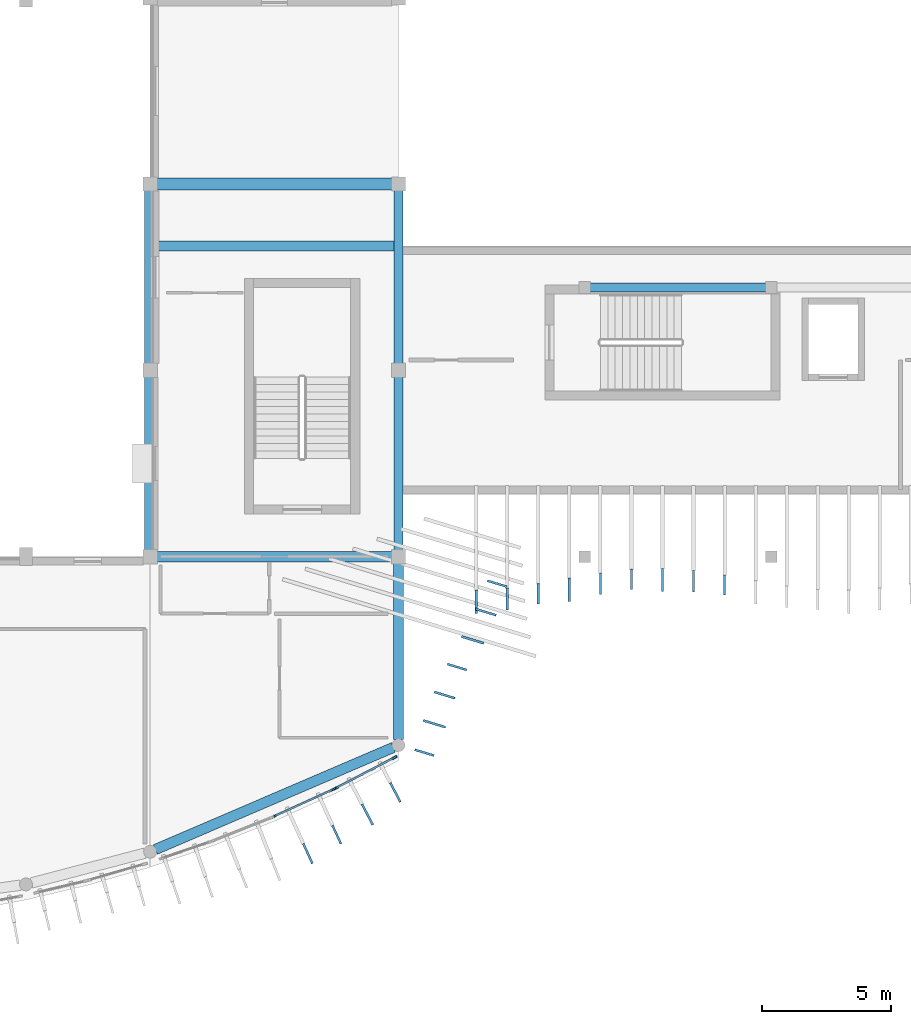
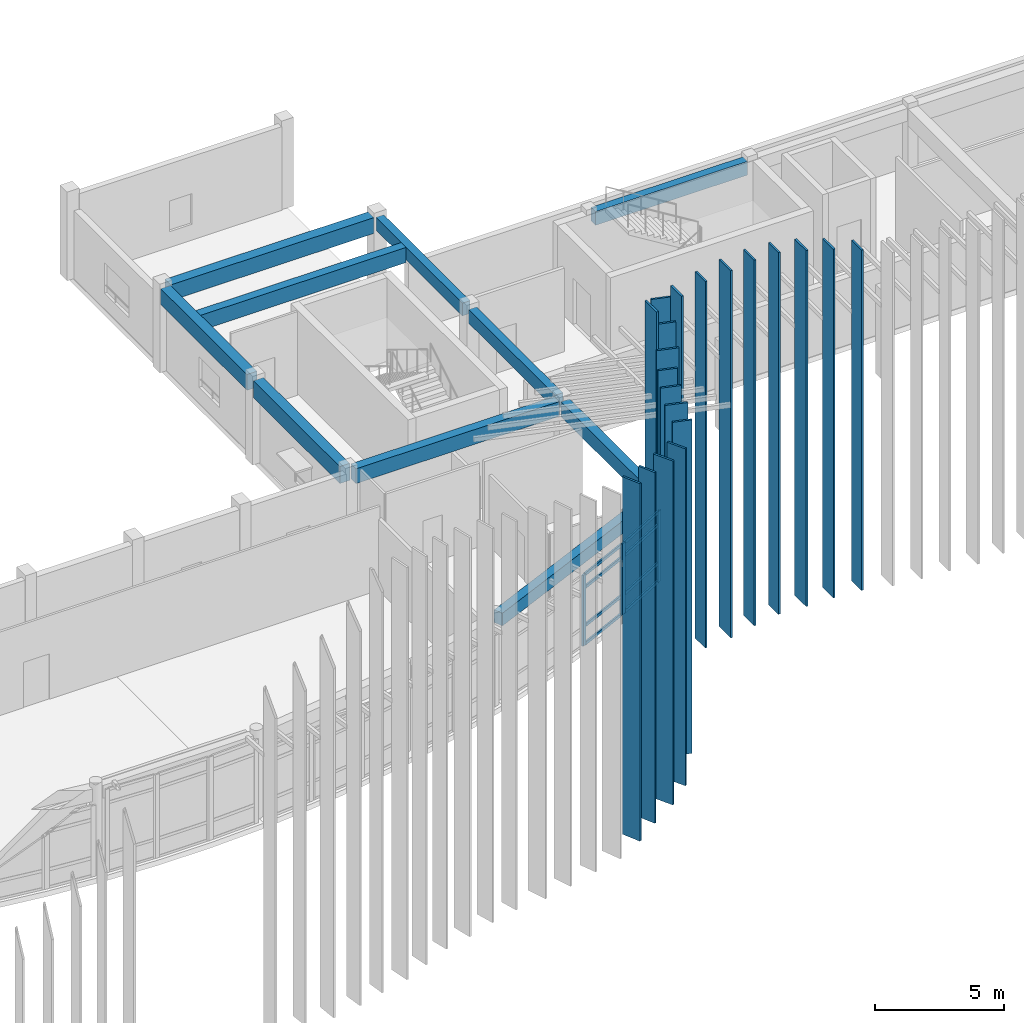
# One storey, part 10 of 47: 32 members, 10 beams, 2 elements without a shape of their own.
"""IFC4 building model written with IfcOpenShell, lengths in metres."""

from ifc_helpers import new_model, si_unit, direction, frame, origin, origin_2d, place, context, subcontext, project, spatial, rectangle, extrude, material, layer, layer_set, material_profile, profile_set, type_object, element, aggregate, save


model = new_model("IFC4")

# Units and contexts
model_context = context("Model", 3, precision=1e-05, world=origin(), true_north=direction((0.0, 1.0)))
body_context = subcontext(model_context, "Body", "Model", "MODEL_VIEW")
ifc_project = project(units=[si_unit("LENGTHUNIT", "METRE"), si_unit("AREAUNIT", "SQUARE_METRE"), si_unit("VOLUMEUNIT", "CUBIC_METRE"), si_unit("PLANEANGLEUNIT", "RADIAN"), si_unit("MASSUNIT", "GRAM", prefix="KILO")], contexts=[model_context])

# Site, building, storey
site_placement = place(None, origin())
site = spatial("IfcSite", under=ifc_project, at=site_placement, CompositionType="ELEMENT")
building_placement = place(site_placement, origin())
building = spatial("IfcBuilding", under=site, at=building_placement, Name="Brisavento Harbour Community Centre", CompositionType="ELEMENT")
storey_placement = place(building_placement, frame((0.0, 0.0, 8.699951171875)))
storey = spatial("IfcBuildingStorey", under=building, at=storey_placement, Name="L02", CompositionType="ELEMENT", Elevation=8.699951171875)

# Beams
ifc_material_1 = material(Name="Concrete C35/45", Category="concrete")
ifc_material_profile_1 = material_profile(ifc_material_1, rectangle(XDim=0.3798828125, YDim=0.719970703125, at=origin_2d()), Name="Concrete C35/45")
ifc_profile_set_1 = profile_set([ifc_material_profile_1], Name="Concrete C35/45")
beam_type_1 = type_object("IfcBeamType", Name="BM-JST-380x720", PredefinedType="JOIST", material=ifc_profile_set_1)
beam_1_placement = place(storey_placement, frame((41.02490234375, 26.39990234375, 3.60009765625), z_axis=(1.0, 0.0, 0.0), x_axis=(0.0, 1.0, 0.0)))
element("IfcBeam", 1, at=beam_1_placement, inside=storey, type_object=beam_type_1, Name="L02 secondary floor joist 0284", PredefinedType="JOIST", context=body_context, shape_type="SweptSolid", body=[
    extrude(rectangle(XDim=0.3798828125, YDim=0.719970703125, at=origin_2d()), origin(), (0.0, 0.0, 1.0), 9.2001953125),
])
ifc_material_profile_2 = material_profile(ifc_material_1, rectangle(XDim=0.35009765625, YDim=0.60009765625, at=origin_2d()), Name="Concrete C35/45")
ifc_profile_set_2 = profile_set([ifc_material_profile_2], Name="Concrete C35/45")
beam_type_2 = type_object("IfcBeamType", Name="BM-RC-350x600", PredefinedType="BEAM", material=ifc_profile_set_2)
beam_2_placement = place(storey_placement, frame((50.39990234375, 21.844970703125, 3.66015625), z_axis=(0.0, 1.0, 0.0), x_axis=(-1.0, 0.0, 0.0)))
element("IfcBeam", 2, at=beam_2_placement, inside=storey, type_object=beam_type_2, Name="L02 primary girder Y0599", PredefinedType="BEAM", context=body_context, shape_type="SweptSolid", body=[
    extrude(rectangle(XDim=0.35009765625, YDim=0.60009765625, at=origin_2d()), origin(), (0.0, 0.0, 1.0), 6.7099609375),
])
ifc_material_profile_3 = material_profile(ifc_material_1, rectangle(XDim=0.35009765625, YDim=0.64990234375, at=origin_2d()), Name="Concrete C35/45")
ifc_profile_set_3 = profile_set([ifc_material_profile_3], Name="Concrete C35/45")
beam_type_3 = type_object("IfcBeamType", Name="BM-RC-350x650", PredefinedType="BEAM", material=ifc_profile_set_3)
beam_3_placement = place(storey_placement, frame((57.794921875, 24.800048828125, 3.635009765625), z_axis=(1.0, 0.0, 0.0), x_axis=(0.0, 1.0, 0.0)))
element("IfcBeam", 3, at=beam_3_placement, inside=storey, type_object=beam_type_3, Name="L02 primary girder X0563", PredefinedType="BEAM", context=body_context, shape_type="SweptSolid", body=[
    extrude(rectangle(XDim=0.35009765625, YDim=0.64990234375, at=origin_2d()), origin(), (0.0, 0.0, 1.0), 6.81005859375),
])
beam_4_placement = place(storey_placement, frame((50.39990234375, 14.64501953125, 3.635009765625), z_axis=(0.0, 1.0, 0.0), x_axis=(-1.0, 0.0, 0.0)))
element("IfcBeam", 4, at=beam_4_placement, inside=storey, type_object=beam_type_3, Name="L02 primary girder Y0598", PredefinedType="BEAM", context=body_context, shape_type="SweptSolid", body=[
    extrude(rectangle(XDim=0.35009765625, YDim=0.64990234375, at=origin_2d()), origin(), (0.0, 0.0, 1.0), 6.7099609375),
])
ifc_material_profile_4 = material_profile(ifc_material_1, rectangle(XDim=0.39990234375, YDim=0.699951171875, at=origin_2d()), Name="Concrete C35/45")
ifc_profile_set_4 = profile_set([ifc_material_profile_4], Name="Concrete C35/45")
beam_type_4 = type_object("IfcBeamType", Name="BM-RC-400x700", PredefinedType="BEAM", material=ifc_profile_set_4)
beam_5_placement = place(storey_placement, frame((41.044921875, 14.39990234375, 3.610107421875), z_axis=(1.0, 0.0, 0.0), x_axis=(0.0, 1.0, 0.0)))
element("IfcBeam", 5, at=beam_5_placement, inside=storey, type_object=beam_type_4, Name="L02 primary girder X0547", PredefinedType="BEAM", context=body_context, shape_type="SweptSolid", body=[
    extrude(rectangle(XDim=0.39990234375, YDim=0.699951171875, at=origin_2d()), origin(), (0.0, 0.0, 1.0), 9.110107421875),
])
beam_6_placement = place(storey_placement, frame((50.39990234375, 7.334228515625, 3.610107421875), z_axis=(0.0, 1.0, 0.0), x_axis=(-1.0, 0.0, 0.0)))
element("IfcBeam", 6, at=beam_6_placement, inside=storey, type_object=beam_type_4, Name="L02 primary girder Y0597", PredefinedType="BEAM", context=body_context, shape_type="SweptSolid", body=[
    extrude(rectangle(XDim=0.39990234375, YDim=0.699951171875, at=origin_2d()), origin(), (0.0, 0.0, 1.0), 6.82080078125),
])
ifc_material_profile_5 = material_profile(ifc_material_1, rectangle(XDim=0.449951171875, YDim=0.75, at=origin_2d()), Name="Concrete C35/45")
ifc_profile_set_5 = profile_set([ifc_material_profile_5], Name="Concrete C35/45")
beam_type_5 = type_object("IfcBeamType", Name="BM-RC-450x750", PredefinedType="BEAM", material=ifc_profile_set_5)
beam_7_placement = place(storey_placement, frame((41.044921875, 28.800048828125, 3.5849609375), z_axis=(1.0, 0.0, 0.0), x_axis=(0.0, 1.0, 0.0)))
element("IfcBeam", 7, at=beam_7_placement, inside=storey, type_object=beam_type_5, Name="L02 primary girder X0571", PredefinedType="BEAM", context=body_context, shape_type="SweptSolid", body=[
    extrude(rectangle(XDim=0.449951171875, YDim=0.75, at=origin_2d()), origin(), (0.0, 0.0, 1.0), 9.110107421875),
])
beam_8_placement = place(storey_placement, frame((40.800048828125, 21.844970703125, 3.5849609375), z_axis=(0.0, 1.0, 0.0), x_axis=(-1.0, 0.0, 0.0)))
element("IfcBeam", 8, at=beam_8_placement, inside=storey, type_object=beam_type_5, Name="L02 primary girder Y0596", PredefinedType="BEAM", context=body_context, shape_type="SweptSolid", body=[
    extrude(rectangle(XDim=0.449951171875, YDim=0.75, at=origin_2d()), origin(), (0.0, 0.0, 1.0), 6.7099609375),
])
ifc_material_profile_6 = material_profile(ifc_material_1, rectangle(XDim=0.449951171875, YDim=0.800048828125, at=origin_2d()), Name="Concrete C35/45")
ifc_profile_set_6 = profile_set([ifc_material_profile_6], Name="Concrete C35/45")
beam_type_6 = type_object("IfcBeamType", Name="BM-RC-450x800", PredefinedType="BEAM", material=ifc_profile_set_6)
beam_9_placement = place(storey_placement, frame((40.800048828125, 14.64501953125, 3.56005859375), z_axis=(0.0, 1.0, 0.0), x_axis=(-1.0, 0.0, 0.0)))
element("IfcBeam", 9, at=beam_9_placement, inside=storey, type_object=beam_type_6, Name="L02 primary girder Y0595", PredefinedType="BEAM", context=body_context, shape_type="SweptSolid", body=[
    extrude(rectangle(XDim=0.449951171875, YDim=0.800048828125, at=origin_2d()), origin(), (0.0, 0.0, 1.0), 6.7099609375),
])
ifc_material_profile_7 = material_profile(ifc_material_1, rectangle(XDim=0.39990234375, YDim=0.60009765625, at=origin_2d()), Name="Concrete C35/45")
ifc_profile_set_7 = profile_set([ifc_material_profile_7], Name="Concrete C35/45")
beam_type_7 = type_object("IfcBeamType", Name="BM-SPN-400x600", PredefinedType="SPANDREL", material=ifc_profile_set_7)
beam_10_placement = place(storey_placement, frame((41.002197265625, 3.081787109375, 3.66015625), z_axis=(0.918969522078, 0.394328565401, 0.0), x_axis=(-0.394328565401, 0.918969522078, 0.0)))
element("IfcBeam", 10, at=beam_10_placement, inside=storey, type_object=beam_type_7, Name="L02 curved perimeter spandrel 0638", PredefinedType="SPANDREL", context=body_context, shape_type="SweptSolid", body=[
    extrude(rectangle(XDim=0.39990234375, YDim=0.60009765625, at=origin_2d()), origin(), (0.0, 0.0, 1.0), 10.00634765625),
])

# Curtain wall, members
ifc_material_2 = material(Name="Marine-anodised aluminium AW-6063-T6", Category="aluminium")
ifc_layer_1 = layer(ifc_material_2, 0.179931640625, Name="Marine-anodised aluminium AW-6063-T6")
ifc_layer_set_1 = layer_set([ifc_layer_1], Name="Marine-anodised aluminium AW-6063-T6")
curtain_wall_type_1 = type_object("IfcCurtainWallType", Name="CW-SYS-27", PredefinedType="USERDEFINED", material=ifc_layer_set_1)
curtain_wall_1_placement = place(storey_placement, origin())
curtain_wall_1 = element("IfcCurtainWall", 11, at=curtain_wall_1_placement, inside=storey, type_object=curtain_wall_type_1, Name="L02 V1 unitised curtain wall 111", ObjectType="UNITISED CURTAIN WALL", PredefinedType="USERDEFINED")
ifc_material_profile_8 = material_profile(ifc_material_2, rectangle(XDim=0.074951171875, YDim=0.18994140625, at=origin_2d()), Name="Marine-anodised aluminium AW-6063-T6")
ifc_profile_set_8 = profile_set([ifc_material_profile_8], Name="Marine-anodised aluminium AW-6063-T6")
member_type_1 = type_object("IfcMemberType", Name="CWM-03", PredefinedType="MULLION", material=ifc_profile_set_8)
member_1_placement = place(storey_placement, frame((47.874755859375, 5.405517578125, 0.0), z_axis=(0.0, 0.0, 1.0), x_axis=(0.415490040189, -0.909597727846, 0.0)))
member_1 = element("IfcMember", 12, at=member_1_placement, type_object=member_type_1, Name="CW-27 mullion 1", PredefinedType="MULLION", context=body_context, shape_type="SweptSolid", body=[
    extrude(rectangle(XDim=0.074951171875, YDim=0.18994140625, at=origin_2d()), origin(), (0.0, 0.0, 1.0), 3.360107421875),
])
member_2_placement = place(storey_placement, frame((45.57568359375, 4.35546875, 0.0), z_axis=(0.0, 0.0, 1.0), x_axis=(0.415490040189, -0.909597727846, 0.0)))
member_2 = element("IfcMember", 13, at=member_2_placement, type_object=member_type_1, Name="CW-27 mullion 2", PredefinedType="MULLION", context=body_context, shape_type="SweptSolid", body=[
    extrude(rectangle(XDim=0.074951171875, YDim=0.18994140625, at=origin_2d()), origin(), (0.0, 0.0, 1.0), 3.360107421875),
])

ifc_layer_2 = layer(ifc_material_2, 0.179931640625, Name="Marine-anodised aluminium AW-6063-T6")
ifc_layer_set_2 = layer_set([ifc_layer_2], Name="Marine-anodised aluminium AW-6063-T6")
curtain_wall_type_2 = type_object("IfcCurtainWallType", Name="CW-SYS-28", PredefinedType="USERDEFINED", material=ifc_layer_set_2)
curtain_wall_2_placement = place(storey_placement, origin())
curtain_wall_2 = element("IfcCurtainWall", 14, at=curtain_wall_2_placement, inside=storey, type_object=curtain_wall_type_2, Name="L02 V1 unitised curtain wall 112", ObjectType="UNITISED CURTAIN WALL", PredefinedType="USERDEFINED")
ifc_material_profile_9 = material_profile(ifc_material_2, rectangle(XDim=0.080078125, YDim=0.2099609375, at=origin_2d()), Name="Marine-anodised aluminium AW-6063-T6")
ifc_profile_set_9 = profile_set([ifc_material_profile_9], Name="Marine-anodised aluminium AW-6063-T6")
member_type_2 = type_object("IfcMemberType", Name="CWM-04", PredefinedType="MULLION", material=ifc_profile_set_9)
member_3_placement = place(storey_placement, frame((50.2412109375, 6.634521484375, 0.0), z_axis=(0.0, 0.0, 1.0), x_axis=(0.461731608705, -0.887019684969, 0.0)))
member_3 = element("IfcMember", 15, at=member_3_placement, type_object=member_type_2, Name="CW-28 mullion 1", PredefinedType="MULLION", context=body_context, shape_type="SweptSolid", body=[
    extrude(rectangle(XDim=0.080078125, YDim=0.2099609375, at=origin_2d()), origin(), (0.0, 0.0, 1.0), 3.360107421875),
])
member_4_placement = place(storey_placement, frame((47.96826171875, 5.451416015625, 0.0), z_axis=(0.0, 0.0, 1.0), x_axis=(0.461731608705, -0.887019684969, 0.0)))
member_4 = element("IfcMember", 16, at=member_4_placement, type_object=member_type_2, Name="CW-28 mullion 2", PredefinedType="MULLION", context=body_context, shape_type="SweptSolid", body=[
    extrude(rectangle(XDim=0.080078125, YDim=0.2099609375, at=origin_2d()), origin(), (0.0, 0.0, 1.0), 3.360107421875),
])

# Member
ifc_material_profile_10 = material_profile(ifc_material_2, rectangle(XDim=0.074951171875, YDim=0.139892578125, at=origin_2d()), Name="Marine-anodised aluminium AW-6063-T6")
ifc_profile_set_10 = profile_set([ifc_material_profile_10], Name="Marine-anodised aluminium AW-6063-T6")
member_type_3 = type_object("IfcMemberType", Name="CWT-03", PredefinedType="USERDEFINED", material=ifc_profile_set_10)
member_5_placement = place(storey_placement, frame((47.840576171875, 5.39013671875, 0.03759765625), z_axis=(-0.909584143353, -0.415519778303, 0.0), x_axis=(0.415519778303, -0.909584143353, 0.0)))
member_5 = element("IfcMember", 17, at=member_5_placement, type_object=member_type_3, Name="CW-27 transom 1.1", ObjectType="TRANSOM", PredefinedType="USERDEFINED", context=body_context, shape_type="SweptSolid", body=[
    extrude(rectangle(XDim=0.074951171875, YDim=0.139892578125, at=origin_2d()), origin(), (0.0, 0.0, 1.0), 2.452392578125),
])

member_6_placement = place(storey_placement, frame((47.840576171875, 5.39013671875, 0.900146484375), z_axis=(-0.909584143353, -0.415519778303, 0.0), x_axis=(0.415519778303, -0.909584143353, 0.0)))
member_6 = element("IfcMember", 18, at=member_6_placement, type_object=member_type_3, Name="CW-27 transom 1.2", ObjectType="TRANSOM", PredefinedType="USERDEFINED", context=body_context, shape_type="SweptSolid", body=[
    extrude(rectangle(XDim=0.074951171875, YDim=0.139892578125, at=origin_2d()), origin(), (0.0, 0.0, 1.0), 2.452392578125),
])

member_7_placement = place(storey_placement, frame((47.840576171875, 5.39013671875, 2.7099609375), z_axis=(-0.909584143353, -0.415519778303, 0.0), x_axis=(0.415519778303, -0.909584143353, 0.0)))
member_7 = element("IfcMember", 19, at=member_7_placement, type_object=member_type_3, Name="CW-27 transom 1.3", ObjectType="TRANSOM", PredefinedType="USERDEFINED", context=body_context, shape_type="SweptSolid", body=[
    extrude(rectangle(XDim=0.074951171875, YDim=0.139892578125, at=origin_2d()), origin(), (0.0, 0.0, 1.0), 2.452392578125),
])

member_8_placement = place(storey_placement, frame((47.840576171875, 5.39013671875, 3.322509765625), z_axis=(-0.909584143353, -0.415519778303, 0.0), x_axis=(0.415519778303, -0.909584143353, 0.0)))
member_8 = element("IfcMember", 20, at=member_8_placement, type_object=member_type_3, Name="CW-27 transom 1.4", ObjectType="TRANSOM", PredefinedType="USERDEFINED", context=body_context, shape_type="SweptSolid", body=[
    extrude(rectangle(XDim=0.074951171875, YDim=0.139892578125, at=origin_2d()), origin(), (0.0, 0.0, 1.0), 2.452392578125),
])

aggregate(curtain_wall_1, [member_1, member_2, member_5, member_6, member_7, member_8])

ifc_material_profile_11 = material_profile(ifc_material_2, rectangle(XDim=0.080078125, YDim=0.155029296875, at=origin_2d()), Name="Marine-anodised aluminium AW-6063-T6")
ifc_profile_set_11 = profile_set([ifc_material_profile_11], Name="Marine-anodised aluminium AW-6063-T6")
member_type_4 = type_object("IfcMemberType", Name="CWT-04", PredefinedType="USERDEFINED", material=ifc_profile_set_11)
member_9_placement = place(storey_placement, frame((50.205810546875, 6.6162109375, 0.0400390625), z_axis=(-0.887010600711, -0.4617490598, 0.0), x_axis=(0.4617490598, -0.887010600711, 0.0)))
member_9 = element("IfcMember", 21, at=member_9_placement, type_object=member_type_4, Name="CW-28 transom 1.1", ObjectType="TRANSOM", PredefinedType="USERDEFINED", context=body_context, shape_type="SweptSolid", body=[
    extrude(rectangle(XDim=0.080078125, YDim=0.155029296875, at=origin_2d()), origin(), (0.0, 0.0, 1.0), 2.482421875),
])

member_10_placement = place(storey_placement, frame((50.205810546875, 6.6162109375, 0.900146484375), z_axis=(-0.887010600711, -0.4617490598, 0.0), x_axis=(0.4617490598, -0.887010600711, 0.0)))
member_10 = element("IfcMember", 22, at=member_10_placement, type_object=member_type_4, Name="CW-28 transom 1.2", ObjectType="TRANSOM", PredefinedType="USERDEFINED", context=body_context, shape_type="SweptSolid", body=[
    extrude(rectangle(XDim=0.080078125, YDim=0.155029296875, at=origin_2d()), origin(), (0.0, 0.0, 1.0), 2.482421875),
])

member_11_placement = place(storey_placement, frame((50.205810546875, 6.6162109375, 2.7099609375), z_axis=(-0.887010600711, -0.4617490598, 0.0), x_axis=(0.4617490598, -0.887010600711, 0.0)))
member_11 = element("IfcMember", 23, at=member_11_placement, type_object=member_type_4, Name="CW-28 transom 1.3", ObjectType="TRANSOM", PredefinedType="USERDEFINED", context=body_context, shape_type="SweptSolid", body=[
    extrude(rectangle(XDim=0.080078125, YDim=0.155029296875, at=origin_2d()), origin(), (0.0, 0.0, 1.0), 2.482421875),
])

member_12_placement = place(storey_placement, frame((50.205810546875, 6.6162109375, 3.320068359375), z_axis=(-0.887010600711, -0.4617490598, 0.0), x_axis=(0.4617490598, -0.887010600711, 0.0)))
member_12 = element("IfcMember", 24, at=member_12_placement, type_object=member_type_4, Name="CW-28 transom 1.4", ObjectType="TRANSOM", PredefinedType="USERDEFINED", context=body_context, shape_type="SweptSolid", body=[
    extrude(rectangle(XDim=0.080078125, YDim=0.155029296875, at=origin_2d()), origin(), (0.0, 0.0, 1.0), 2.482421875),
])

aggregate(curtain_wall_2, [member_3, member_4, member_9, member_10, member_11, member_12])

# Members
ifc_material_3 = material(Name="Off-white marine-anodised aluminium AW-6063-T6", Category="aluminium")
ifc_material_profile_12 = material_profile(ifc_material_3, rectangle(XDim=0.090087890625, YDim=0.89990234375, at=origin_2d()), Name="Off-white marine-anodised aluminium AW-6063-T6")
ifc_profile_set_12 = profile_set([ifc_material_profile_12], Name="Off-white marine-anodised aluminium AW-6063-T6")
member_type_5 = type_object("IfcMemberType", Name="FIN-STORM-1", PredefinedType="USERDEFINED", material=ifc_profile_set_12)
member_13_placement = place(storey_placement, frame((49.1962890625, 4.431884765625, -8.699951171875), z_axis=(0.0, 0.0, 1.0), x_axis=(-0.887035009063, -0.461702168823, 0.0)))
element("IfcMember", 25, at=member_13_placement, inside=storey, type_object=member_type_5, Name="Standing-clear white storm fin 037", ObjectType="FIN", PredefinedType="USERDEFINED", context=body_context, shape_type="SweptSolid", body=[
    extrude(rectangle(XDim=0.090087890625, YDim=0.89990234375, at=origin_2d()), origin(), (0.0, 0.0, 1.0), 16.29248046875),
])
member_14_placement = place(storey_placement, frame((51.78076171875, 7.940185546875, -8.699951171875), z_axis=(0.0, 0.0, 1.0), x_axis=(-0.291153049083, -0.956676487643, 0.0)))
element("IfcMember", 26, at=member_14_placement, inside=storey, type_object=member_type_5, Name="Standing-clear white storm fin 040", ObjectType="FIN", PredefinedType="USERDEFINED", context=body_context, shape_type="SweptSolid", body=[
    extrude(rectangle(XDim=0.090087890625, YDim=0.89990234375, at=origin_2d()), origin(), (0.0, 0.0, 1.0), 15.800048828125),
])
member_15_placement = place(storey_placement, frame((53.265380859375, 11.18115234375, -8.699951171875), z_axis=(0.0, 0.0, 1.0), x_axis=(-0.291153049083, -0.956676487643, 0.0)))
element("IfcMember", 27, at=member_15_placement, inside=storey, type_object=member_type_5, Name="Standing-clear white storm fin 043", ObjectType="FIN", PredefinedType="USERDEFINED", context=body_context, shape_type="SweptSolid", body=[
    extrude(rectangle(XDim=0.090087890625, YDim=0.89990234375, at=origin_2d()), origin(), (0.0, 0.0, 1.0), 15.908203125),
])
member_16_placement = place(storey_placement, frame((53.39990234375, 12.652587890625, -8.699951171875), z_axis=(0.0, 0.0, 1.0), x_axis=(-1.0, 0.0, 0.0)))
element("IfcMember", 28, at=member_16_placement, inside=storey, type_object=member_type_5, Name="Standing-clear white storm fin 046", ObjectType="FIN", PredefinedType="USERDEFINED", context=body_context, shape_type="SweptSolid", body=[
    extrude(rectangle(XDim=0.090087890625, YDim=0.89990234375, at=origin_2d()), origin(), (0.0, 0.0, 1.0), 16.9921875),
])
member_17_placement = place(storey_placement, frame((57.0, 13.1220703125, -8.699951171875), z_axis=(0.0, 0.0, 1.0), x_axis=(-1.0, 0.0, 0.0)))
element("IfcMember", 29, at=member_17_placement, inside=storey, type_object=member_type_5, Name="Standing-clear white storm fin 049", ObjectType="FIN", PredefinedType="USERDEFINED", context=body_context, shape_type="SweptSolid", body=[
    extrude(rectangle(XDim=0.090087890625, YDim=0.89990234375, at=origin_2d()), origin(), (0.0, 0.0, 1.0), 17.3974609375),
])
member_18_placement = place(storey_placement, frame((60.60009765625, 13.497314453125, -8.699951171875), z_axis=(0.0, 0.0, 1.0), x_axis=(-1.0, 0.0, 0.0)))
element("IfcMember", 30, at=member_18_placement, inside=storey, type_object=member_type_5, Name="Standing-clear white storm fin 052", ObjectType="FIN", PredefinedType="USERDEFINED", context=body_context, shape_type="SweptSolid", body=[
    extrude(rectangle(XDim=0.090087890625, YDim=0.89990234375, at=origin_2d()), origin(), (0.0, 0.0, 1.0), 16.866943359375),
])
ifc_material_profile_13 = material_profile(ifc_material_3, rectangle(XDim=0.087890625, YDim=0.840087890625, at=origin_2d()), Name="Off-white marine-anodised aluminium AW-6063-T6")
ifc_profile_set_13 = profile_set([ifc_material_profile_13], Name="Off-white marine-anodised aluminium AW-6063-T6")
member_type_6 = type_object("IfcMemberType", Name="FIN-STORM-2", PredefinedType="USERDEFINED", material=ifc_profile_set_13)
member_19_placement = place(storey_placement, frame((46.893798828125, 2.924072265625, -8.699951171875), z_axis=(0.0, 0.0, 1.0), x_axis=(-0.909584532519, -0.415518926407, 0.0)))
element("IfcMember", 31, at=member_19_placement, inside=storey, type_object=member_type_6, Name="Standing-clear white storm fin 035", ObjectType="FIN", PredefinedType="USERDEFINED", context=body_context, shape_type="SweptSolid", body=[
    extrude(rectangle(XDim=0.087890625, YDim=0.840087890625, at=origin_2d()), origin(), (0.0, 0.0, 1.0), 16.938720703125),
])
member_20_placement = place(storey_placement, frame((50.276123046875, 5.287109375, -8.699951171875), z_axis=(0.0, 0.0, 1.0), x_axis=(-0.887035009063, -0.461702168823, 0.0)))
element("IfcMember", 32, at=member_20_placement, inside=storey, type_object=member_type_6, Name="Standing-clear white storm fin 038", ObjectType="FIN", PredefinedType="USERDEFINED", context=body_context, shape_type="SweptSolid", body=[
    extrude(rectangle(XDim=0.087890625, YDim=0.840087890625, at=origin_2d()), origin(), (0.0, 0.0, 1.0), 15.964599609375),
])
member_21_placement = place(storey_placement, frame((52.179443359375, 9.0498046875, -8.699951171875), z_axis=(0.0, 0.0, 1.0), x_axis=(-0.291153049083, -0.956676487643, 0.0)))
element("IfcMember", 33, at=member_21_placement, inside=storey, type_object=member_type_6, Name="Standing-clear white storm fin 041", ObjectType="FIN", PredefinedType="USERDEFINED", context=body_context, shape_type="SweptSolid", body=[
    extrude(rectangle(XDim=0.087890625, YDim=0.840087890625, at=origin_2d()), origin(), (0.0, 0.0, 1.0), 15.800048828125),
])
member_22_placement = place(storey_placement, frame((53.7705078125, 12.25830078125, -8.699951171875), z_axis=(0.0, 0.0, 1.0), x_axis=(-0.291153049083, -0.956676487643, 0.0)))
element("IfcMember", 34, at=member_22_placement, inside=storey, type_object=member_type_6, Name="Standing-clear white storm fin 044", ObjectType="FIN", PredefinedType="USERDEFINED", context=body_context, shape_type="SweptSolid", body=[
    extrude(rectangle(XDim=0.087890625, YDim=0.840087890625, at=origin_2d()), origin(), (0.0, 0.0, 1.0), 16.310302734375),
])
member_23_placement = place(storey_placement, frame((54.60009765625, 12.7626953125, -8.699951171875), z_axis=(0.0, 0.0, 1.0), x_axis=(-1.0, 0.0, 0.0)))
element("IfcMember", 35, at=member_23_placement, inside=storey, type_object=member_type_6, Name="Standing-clear white storm fin 047", ObjectType="FIN", PredefinedType="USERDEFINED", context=body_context, shape_type="SweptSolid", body=[
    extrude(rectangle(XDim=0.087890625, YDim=0.840087890625, at=origin_2d()), origin(), (0.0, 0.0, 1.0), 17.227783203125),
])
member_24_placement = place(storey_placement, frame((58.199951171875, 13.35693359375, -8.699951171875), z_axis=(0.0, 0.0, 1.0), x_axis=(-1.0, 0.0, 0.0)))
element("IfcMember", 36, at=member_24_placement, inside=storey, type_object=member_type_6, Name="Standing-clear white storm fin 050", ObjectType="FIN", PredefinedType="USERDEFINED", context=body_context, shape_type="SweptSolid", body=[
    extrude(rectangle(XDim=0.087890625, YDim=0.840087890625, at=origin_2d()), origin(), (0.0, 0.0, 1.0), 17.3203125),
])
member_25_placement = place(storey_placement, frame((61.800048828125, 13.447265625, -8.699951171875), z_axis=(0.0, 0.0, 1.0), x_axis=(-1.0, 0.0, 0.0)))
element("IfcMember", 37, at=member_25_placement, inside=storey, type_object=member_type_6, Name="Standing-clear white storm fin 053", ObjectType="FIN", PredefinedType="USERDEFINED", context=body_context, shape_type="SweptSolid", body=[
    extrude(rectangle(XDim=0.087890625, YDim=0.840087890625, at=origin_2d()), origin(), (0.0, 0.0, 1.0), 16.522216796875),
])
ifc_material_profile_14 = material_profile(ifc_material_3, rectangle(XDim=0.0849609375, YDim=0.780029296875, at=origin_2d()), Name="Off-white marine-anodised aluminium AW-6063-T6")
ifc_profile_set_14 = profile_set([ifc_material_profile_14], Name="Off-white marine-anodised aluminium AW-6063-T6")
member_type_7 = type_object("IfcMemberType", Name="FIN-STORM-3", PredefinedType="USERDEFINED", material=ifc_profile_set_14)
member_26_placement = place(storey_placement, frame((48.010986328125, 3.65380859375, -8.699951171875), z_axis=(0.0, 0.0, 1.0), x_axis=(-0.909584532519, -0.415518926407, 0.0)))
element("IfcMember", 38, at=member_26_placement, inside=storey, type_object=member_type_7, Name="Standing-clear white storm fin 036", ObjectType="FIN", PredefinedType="USERDEFINED", context=body_context, shape_type="SweptSolid", body=[
    extrude(rectangle(XDim=0.0849609375, YDim=0.780029296875, at=origin_2d()), origin(), (0.0, 0.0, 1.0), 16.617919921875),
])
for number, where, z_axis, x_axis, name in (
    (39, (51.399658203125, 6.825439453125, -8.699951171875), (0.0, 0.0, 1.0), (-0.291153049083, -0.956676487643, 0.0), "Standing-clear white storm fin 039"),
    (40, (52.659912109375, 10.134521484375, -8.699951171875), (0.0, 0.0, 1.0), (-0.291153049083, -0.956676487643, 0.0), "Standing-clear white storm fin 042"),
):
    element("IfcMember", number, at=place(storey_placement, frame(where, z_axis=z_axis, x_axis=x_axis)), inside=storey, type_object=member_type_7, Name=name, ObjectType="FIN", PredefinedType="USERDEFINED", context=body_context, shape_type="SweptSolid", body=[
        extrude(rectangle(XDim=0.0849609375, YDim=0.780029296875, at=origin_2d()), origin(), (0.0, 0.0, 1.0), 15.800048828125),
    ])
member_27_placement = place(storey_placement, frame((54.2119140625, 13.354736328125, -8.699951171875), z_axis=(0.0, 0.0, 1.0), x_axis=(-0.291153049083, -0.956676487643, 0.0)))
element("IfcMember", 41, at=member_27_placement, inside=storey, type_object=member_type_7, Name="Standing-clear white storm fin 045", ObjectType="FIN", PredefinedType="USERDEFINED", context=body_context, shape_type="SweptSolid", body=[
    extrude(rectangle(XDim=0.0849609375, YDim=0.780029296875, at=origin_2d()), origin(), (0.0, 0.0, 1.0), 16.6787109375),
])
member_28_placement = place(storey_placement, frame((55.800048828125, 12.964599609375, -8.699951171875), z_axis=(0.0, 0.0, 1.0), x_axis=(-1.0, 0.0, 0.0)))
element("IfcMember", 42, at=member_28_placement, inside=storey, type_object=member_type_7, Name="Standing-clear white storm fin 048", ObjectType="FIN", PredefinedType="USERDEFINED", context=body_context, shape_type="SweptSolid", body=[
    extrude(rectangle(XDim=0.0849609375, YDim=0.780029296875, at=origin_2d()), origin(), (0.0, 0.0, 1.0), 17.365966796875),
])
member_29_placement = place(storey_placement, frame((59.39990234375, 13.5244140625, -8.699951171875), z_axis=(0.0, 0.0, 1.0), x_axis=(-1.0, 0.0, 0.0)))
element("IfcMember", 43, at=member_29_placement, inside=storey, type_object=member_type_7, Name="Standing-clear white storm fin 051", ObjectType="FIN", PredefinedType="USERDEFINED", context=body_context, shape_type="SweptSolid", body=[
    extrude(rectangle(XDim=0.0849609375, YDim=0.780029296875, at=origin_2d()), origin(), (0.0, 0.0, 1.0), 17.13916015625),
])
member_30_placement = place(storey_placement, frame((63.0, 13.305419921875, -8.699951171875), z_axis=(0.0, 0.0, 1.0), x_axis=(-1.0, 0.0, 0.0)))
element("IfcMember", 44, at=member_30_placement, inside=storey, type_object=member_type_7, Name="Standing-clear white storm fin 054", ObjectType="FIN", PredefinedType="USERDEFINED", context=body_context, shape_type="SweptSolid", body=[
    extrude(rectangle(XDim=0.0849609375, YDim=0.780029296875, at=origin_2d()), origin(), (0.0, 0.0, 1.0), 16.1279296875),
])

save(model, "model.ifc")
